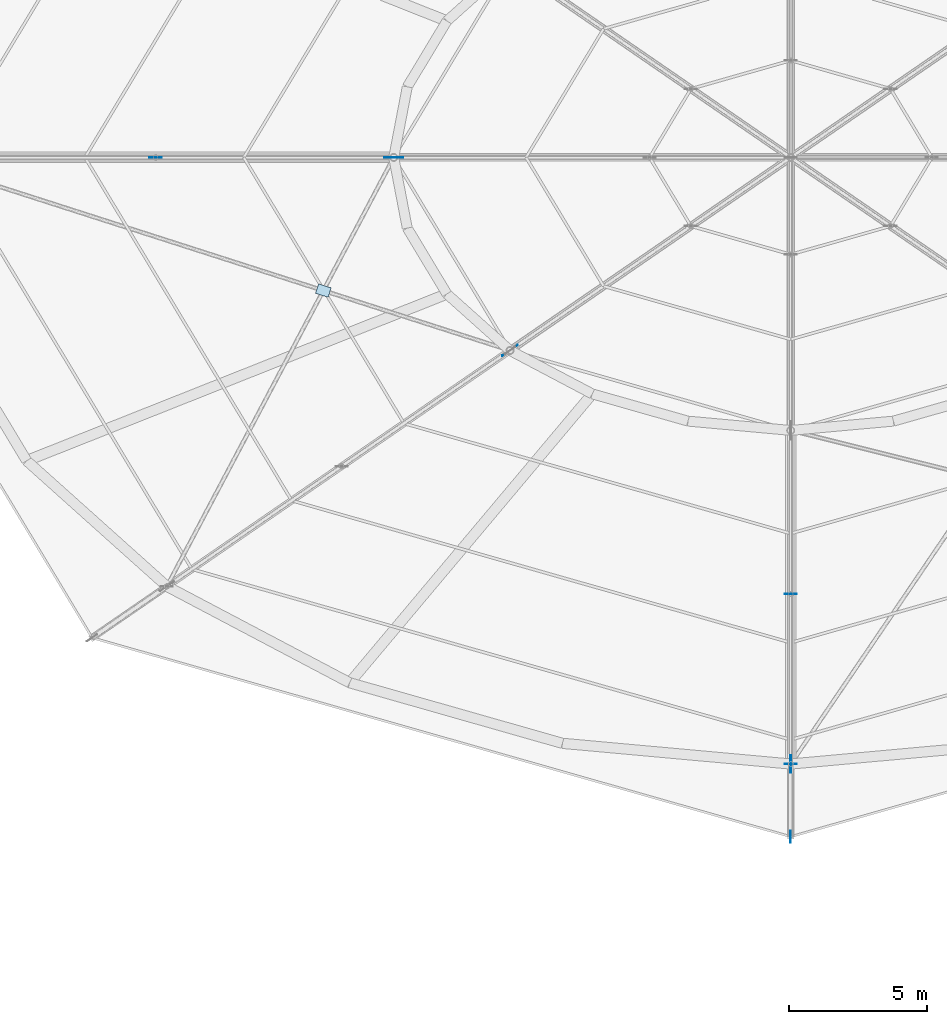
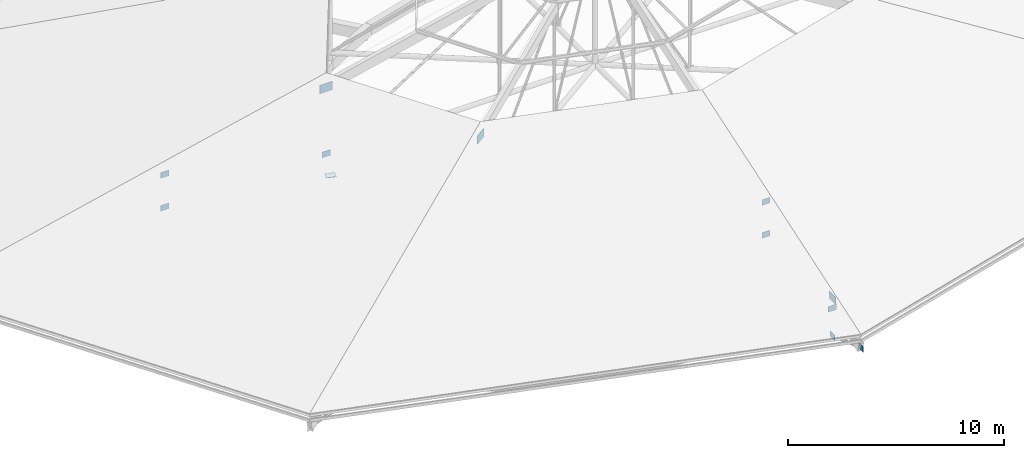
# One storey, part 48 of 66: 12 plates.
"""IFC4 building model written with IfcOpenShell, lengths in metres."""

from ifc_helpers import new_model, si_unit, direction, frame, origin, origin_2d, place, context, subcontext, project, spatial, rectangle, extrude, material, layer, layer_set, type_object, element, save


model = new_model("IFC4")

# Units and contexts
model_context = context("Model", 3, precision=1e-05, world=origin(), true_north=direction((0.0, 1.0)))
body_context = subcontext(model_context, "Body", "Model", "MODEL_VIEW")
ifc_project = project(units=[si_unit("LENGTHUNIT", "METRE"), si_unit("AREAUNIT", "SQUARE_METRE"), si_unit("VOLUMEUNIT", "CUBIC_METRE"), si_unit("PLANEANGLEUNIT", "RADIAN"), si_unit("MASSUNIT", "GRAM", prefix="KILO")], contexts=[model_context])

# Site, building, storey
site_placement = place(None, origin())
site = spatial("IfcSite", under=ifc_project, at=site_placement, CompositionType="ELEMENT")
building_placement = place(site_placement, origin())
building = spatial("IfcBuilding", under=site, at=building_placement, Name="Zornivar Specialist Clinic", CompositionType="ELEMENT")
storey_placement = place(building_placement, frame((0.0, 0.0, 16.0)))
storey = spatial("IfcBuildingStorey", under=building, at=storey_placement, Name="L04", CompositionType="ELEMENT", Elevation=16.0)

# Plates
ifc_material_1 = material(Name="Steel S355J2", Category="steel")
ifc_layer_1 = layer(ifc_material_1, 0.02197265625)
ifc_layer_set_1 = layer_set([ifc_layer_1], Name="Steel S355J2")
plate_type_1 = type_object("IfcPlateType", Name="PL-GUSSET-HEEL-22", PredefinedType="USERDEFINED", material=ifc_layer_set_1)
plate_1_placement = place(storey_placement, frame((93.60009765625, 35.60009765625, 0.2900390625), z_axis=(0.0, 0.0, 1.0), x_axis=(0.0, -1.0, 0.0)))
element("IfcPlate", 1, at=plate_1_placement, inside=storey, type_object=plate_type_1, Name="plate:V1:L04:heel:6", ObjectType="GUSSET PLATE", PredefinedType="USERDEFINED", context=body_context, shape_type="SweptSolid", body=[
    extrude(rectangle(XDim=0.6201171875, YDim=0.02197265625, at=origin_2d()), origin(), (0.0, 0.0, 1.0), 0.43994140625),
])
ifc_material_2 = material(Name="Steel S355J2", Category="steel")
ifc_layer_2 = layer(ifc_material_2, 0.02001953125)
ifc_layer_set_2 = layer_set([ifc_layer_2], Name="Steel S355J2")
plate_type_2 = type_object("IfcPlateType", Name="PL-GUSSET-NODE-20", PredefinedType="USERDEFINED", material=ifc_layer_set_2)
plate_2_placement = place(storey_placement, frame((76.64697265625, 52.77197265625, 2.944091796875), z_axis=(0.0, 0.0, 1.0), x_axis=(-0.952182732136, 0.30552912238, 0.0)))
element("IfcPlate", 2, at=plate_2_placement, inside=storey, type_object=plate_type_2, Name="plate:V1:L04:xcross:4", ObjectType="GUSSET PLATE", PredefinedType="USERDEFINED", context=body_context, shape_type="SweptSolid", body=[
    extrude(rectangle(XDim=0.47998046875, YDim=0.360107421875, at=origin_2d()), origin(), (0.0, 0.0, 1.0), 0.02001953125),
])
ifc_material_3 = material(Name="Steel S355J2", Category="steel")
ifc_layer_3 = layer(ifc_material_3, 0.02392578125)
ifc_layer_set_3 = layer_set([ifc_layer_3], Name="Steel S355J2")
plate_type_3 = type_object("IfcPlateType", Name="PL-GUSSET-RIDGE-24", PredefinedType="USERDEFINED", material=ifc_layer_set_3)
for number, where, z_axis, x_axis, name in (
    (3, (79.199951171875, 57.60009765625, 3.864013671875), (0.0, 0.0, 1.0), (-1.0, 0.0, 0.0), "plate:V1:L04:ridge:4"),
    (4, (83.41796875, 50.60009765625, 3.864013671875), (0.0, 0.0, 1.0), (-0.824042986806, -0.566527277274, 0.0), "plate:V1:L04:ridge:5"),
):
    element("IfcPlate", number, at=place(storey_placement, frame(where, z_axis=z_axis, x_axis=x_axis)), inside=storey, type_object=plate_type_3, Name=name, ObjectType="GUSSET PLATE", PredefinedType="USERDEFINED", context=body_context, shape_type="SweptSolid", body=[
        extrude(rectangle(XDim=0.679931640625, YDim=0.02392578125, at=origin_2d()), origin(), (0.0, 0.0, 1.0), 0.47998046875),
    ])
ifc_material_4 = material(Name="Steel S355J2", Category="steel")
ifc_layer_4 = layer(ifc_material_4, 0.01806640625)
ifc_layer_set_4 = layer_set([ifc_layer_4], Name="Steel S355J2")
plate_type_4 = type_object("IfcPlateType", Name="PL-GUSSET-V4-18", PredefinedType="USERDEFINED", material=ifc_layer_set_4)
for number, where, z_axis, x_axis, name in (
    (5, (93.60009765625, 35.60009765625, -0.240234375), (0.0, 0.0, 1.0), (1.0, 0.0, 0.0), "plate:bnode:L04:044"),
    (6, (93.60009765625, 35.60009765625, -1.81005859375), (0.0, 0.0, 1.0), (0.0, 1.0, 0.0), "plate:bnode:L04:045"),
    (7, (93.60009765625, 32.9599609375, -0.86083984375), (0.0, 0.0, 1.0), (0.0, 1.0, 0.0), "plate:bnode:L04:046"),
    (8, (70.56005859375, 57.60009765625, 0.2001953125), (0.0, 0.0, 1.0), (1.0, 0.0, 0.0), "plate:bnode:L04:071"),
    (9, (70.56005859375, 57.60009765625, 2.06689453125), (0.0, 0.0, 1.0), (1.0, 0.0, 0.0), "plate:bnode:L04:072"),
    (10, (79.199951171875, 57.60009765625, 0.2001953125), (0.0, 0.0, 1.0), (1.0, 0.0, 0.0), "plate:bnode:L04:075"),
    (11, (93.60009765625, 41.760009765625, 0.2001953125), (0.0, 0.0, 1.0), (1.0, 0.0, 0.0), "plate:bnode:L04:081"),
    (12, (93.60009765625, 41.760009765625, 2.06689453125), (0.0, 0.0, 1.0), (1.0, 0.0, 0.0), "plate:bnode:L04:082"),
):
    element("IfcPlate", number, at=place(storey_placement, frame(where, z_axis=z_axis, x_axis=x_axis)), inside=storey, type_object=plate_type_4, Name=name, ObjectType="GUSSET PLATE", PredefinedType="USERDEFINED", context=body_context, shape_type="SweptSolid", body=[
        extrude(rectangle(XDim=0.43994140625, YDim=0.01806640625, at=origin_2d()), origin(), (0.0, 0.0, 1.0), 0.320068359375),
    ])

save(model, "model.ifc")
